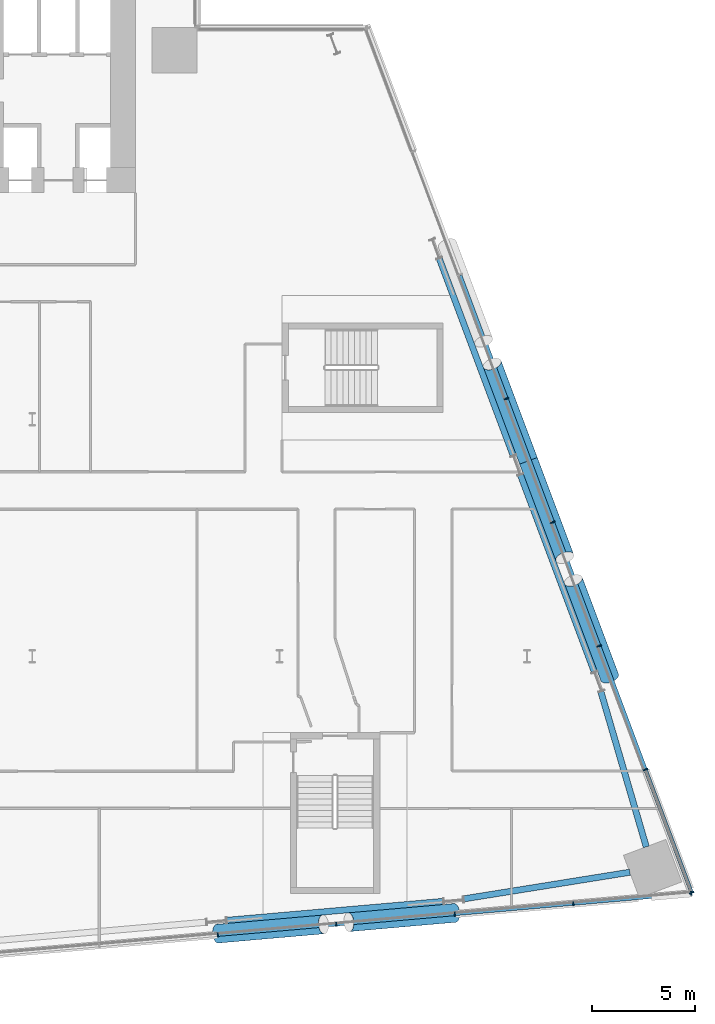
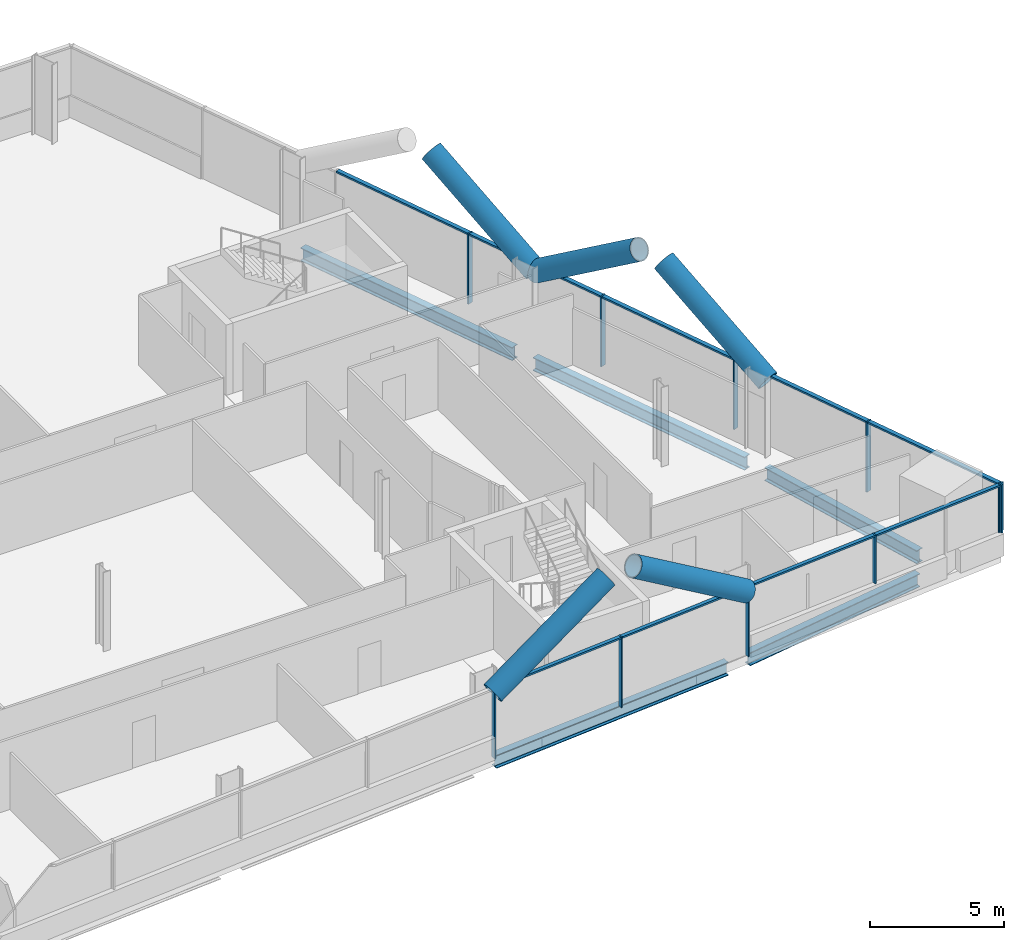
# One storey, part 9 of 28: 24 members, 5 beams, 2 elements without a shape of their own.
"""IFC4 building model written with IfcOpenShell, lengths in metres."""

from ifc_helpers import new_model, si_unit, direction, frame, origin, origin_2d, place, context, subcontext, project, spatial, rectangle, hollow_circle, i_section, extrude, material, material_profile, profile_set, type_object, element, aggregate, save


model = new_model("IFC4")

# Units and contexts
model_context = context("Model", 3, precision=1e-05, world=origin(), true_north=direction((0.0, 1.0)))
body_context = subcontext(model_context, "Body", "Model", "MODEL_VIEW")
ifc_project = project(units=[si_unit("LENGTHUNIT", "METRE"), si_unit("AREAUNIT", "SQUARE_METRE"), si_unit("VOLUMEUNIT", "CUBIC_METRE"), si_unit("PLANEANGLEUNIT", "RADIAN"), si_unit("MASSUNIT", "GRAM", prefix="KILO")], contexts=[model_context])

# Site, building, storey
site_placement = place(None, origin())
site = spatial("IfcSite", under=ifc_project, at=site_placement, CompositionType="ELEMENT")
building_placement = place(site_placement, origin())
building = spatial("IfcBuilding", under=site, at=building_placement, Name="Wharfspan Tower", CompositionType="ELEMENT")
storey_placement = place(building_placement, frame((0.0, 0.0, 52.300049)))
storey = spatial("IfcBuildingStorey", under=building, at=storey_placement, Name="L09", CompositionType="ELEMENT", Elevation=52.300049)

# Beams
ifc_material_1 = material(Name="Steel S355J2", Category="steel")
ifc_material_profile_1 = material_profile(ifc_material_1, i_section(OverallWidth=0.300049, OverallDepth=0.600098, WebThickness=0.015381, FlangeThickness=0.030029, FilletRadius=0.0271, at=origin_2d()))
ifc_profile_set_1 = profile_set([ifc_material_profile_1], Name="Steel S355J2")
beam_type = type_object("IfcBeamType", Name="Edge beam HEB 600", PredefinedType="SPANDREL", material=ifc_profile_set_1)
beam_1_placement = place(storey_placement, frame((69.440674, -1.311279, -0.699951), z_axis=(0.996193, 0.087178, 0.0), x_axis=(-0.087178, 0.996193, 0.0)))
element("IfcBeam", 1, at=beam_1_placement, inside=storey, type_object=beam_type, Name="Edge beam S2 L09 PS2.2 to PS2.3", PredefinedType="SPANDREL", context=body_context, shape_type="SweptSolid", body=[
    extrude(i_section(OverallWidth=0.300049, OverallDepth=0.600098, WebThickness=0.015381, FlangeThickness=0.030029, FilletRadius=0.0271, at=origin_2d()), origin(), (0.0, 0.0, 1.0), 10.543701),
])
beam_2_placement = place(storey_placement, frame((80.9375, -0.269287, -0.699951), z_axis=(0.987379, 0.158378, 0.0), x_axis=(-0.158378, 0.987379, 0.0)))
element("IfcBeam", 2, at=beam_2_placement, inside=storey, type_object=beam_type, Name="Edge beam S2 L09 PS2.3 to MC4", PredefinedType="SPANDREL", context=body_context, shape_type="SweptSolid", body=[
    extrude(i_section(OverallWidth=0.300049, OverallDepth=0.600098, WebThickness=0.015381, FlangeThickness=0.030029, FilletRadius=0.0271, at=origin_2d()), origin(), (0.0, 0.0, 1.0), 8.157715),
])
beam_3_placement = place(storey_placement, frame((89.788086, 2.254639, -0.699951), z_axis=(-0.280694, 0.959797, 0.0), x_axis=(-0.959797, -0.280694, 0.0)))
element("IfcBeam", 3, at=beam_3_placement, inside=storey, type_object=beam_type, Name="Edge beam E L09 MC4 to PE.1", PredefinedType="SPANDREL", context=body_context, shape_type="SweptSolid", body=[
    extrude(i_section(OverallWidth=0.300049, OverallDepth=0.600098, WebThickness=0.015381, FlangeThickness=0.030029, FilletRadius=0.0271, at=origin_2d()), origin(), (0.0, 0.0, 1.0), 7.8479),
])
for number, where, z_axis, x_axis, name in (
    (4, (87.269043, 10.736328, -0.699951), (-0.351126, 0.936328, 0.0), (-0.936328, -0.351126, 0.0), "Edge beam E L09 PE.1 to PE.2"),
    (5, (83.331543, 21.236328, -0.699951), (-0.351126, 0.936328, 0.0), (-0.936328, -0.351126, 0.0), "Edge beam E L09 PE.2 to PE.3"),
):
    element("IfcBeam", number, at=place(storey_placement, frame(where, z_axis=z_axis, x_axis=x_axis)), inside=storey, type_object=beam_type, Name=name, PredefinedType="SPANDREL", context=body_context, shape_type="SweptSolid", body=[
        extrude(i_section(OverallWidth=0.300049, OverallDepth=0.600098, WebThickness=0.015381, FlangeThickness=0.030029, FilletRadius=0.0271, at=origin_2d()), origin(), (0.0, 0.0, 1.0), 10.214111),
    ])

# Curtain wall, members
ifc_material_2 = material(Name="Aluminium 6063-T6", Category="aluminium")
curtain_wall_type_1 = type_object("IfcCurtainWallType", Name="CURTAIN WALL FACETED FRONT", PredefinedType="NOTDEFINED", material=ifc_material_2)
curtain_wall_1_placement = place(storey_placement, origin())
curtain_wall_1 = element("IfcCurtainWall", 6, at=curtain_wall_1_placement, inside=storey, type_object=curtain_wall_type_1, Name="Curtain wall S2", PredefinedType="NOTDEFINED")
ifc_material_profile_2 = material_profile(ifc_material_2, rectangle(XDim=0.199951, YDim=0.060059, at=origin_2d()))
ifc_profile_set_2 = profile_set([ifc_material_profile_2], Name="Aluminium 6063-T6")
member_type_1 = type_object("IfcMemberType", Name="MULLION FACETED FRONT 60x200", PredefinedType="MULLION", material=ifc_profile_set_2)
member_1_placement = place(storey_placement, frame((69.0, -2.012207, 0.0), z_axis=(0.0, 0.0, 1.0), x_axis=(-0.087156, 0.996197, 0.0)))
member_1 = element("IfcMember", 7, at=member_1_placement, type_object=member_type_1, Name="Curtain wall S2 mullion 5", PredefinedType="MULLION", context=body_context, shape_type="SweptSolid", body=[
    extrude(rectangle(XDim=0.199951, YDim=0.060059, at=origin_2d()), origin(), (0.0, 0.0, 1.0), 3.199951),
])
member_2_placement = place(storey_placement, frame((74.75, -1.509277, 0.0), z_axis=(0.0, 0.0, 1.0), x_axis=(-0.087156, 0.996197, 0.0)))
member_2 = element("IfcMember", 8, at=member_2_placement, type_object=member_type_1, Name="Curtain wall S2 mullion 6", PredefinedType="MULLION", context=body_context, shape_type="SweptSolid", body=[
    extrude(rectangle(XDim=0.199951, YDim=0.060059, at=origin_2d()), origin(), (0.0, 0.0, 1.0), 3.199951),
])
member_3_placement = place(storey_placement, frame((80.5, -1.006104, 0.0), z_axis=(0.0, 0.0, 1.0), x_axis=(-0.087156, 0.996197, 0.0)))
member_3 = element("IfcMember", 9, at=member_3_placement, type_object=member_type_1, Name="Curtain wall S2 mullion 7", PredefinedType="MULLION", context=body_context, shape_type="SweptSolid", body=[
    extrude(rectangle(XDim=0.199951, YDim=0.060059, at=origin_2d()), origin(), (0.0, 0.0, 1.0), 3.199951),
])
member_4_placement = place(storey_placement, frame((86.25, -0.503174, 1.0), z_axis=(0.0, 0.0, 1.0), x_axis=(-0.087156, 0.996197, 0.0)))
member_4 = element("IfcMember", 10, at=member_4_placement, type_object=member_type_1, Name="Curtain wall S2 mullion 8", PredefinedType="MULLION", context=body_context, shape_type="SweptSolid", body=[
    extrude(rectangle(XDim=0.199951, YDim=0.060059, at=origin_2d()), origin(), (0.0, 0.0, 1.0), 2.199951),
])
member_5_placement = place(storey_placement, frame((91.970215, -0.002686, 1.0), z_axis=(0.0, 0.0, 1.0), x_axis=(-0.087156, 0.996197, 0.0)))
member_5 = element("IfcMember", 11, at=member_5_placement, type_object=member_type_1, Name="Curtain wall S2 mullion 9", PredefinedType="MULLION", context=body_context, shape_type="SweptSolid", body=[
    extrude(rectangle(XDim=0.199951, YDim=0.060059, at=origin_2d()), origin(), (0.0, 0.0, 1.0), 2.199951),
])

curtain_wall_type_2 = type_object("IfcCurtainWallType", Name="CURTAIN WALL PROW AND END", PredefinedType="NOTDEFINED", material=ifc_material_2)
curtain_wall_2_placement = place(storey_placement, origin())
curtain_wall_2 = element("IfcCurtainWall", 12, at=curtain_wall_2_placement, inside=storey, type_object=curtain_wall_type_2, Name="Curtain wall E", PredefinedType="NOTDEFINED")
ifc_material_profile_3 = material_profile(ifc_material_2, rectangle(XDim=0.23999, YDim=0.060059, at=origin_2d()))
ifc_profile_set_3 = profile_set([ifc_material_profile_3], Name="Aluminium 6063-T6")
member_type_2 = type_object("IfcMemberType", Name="MULLION PROW AND END 60x240", PredefinedType="MULLION", material=ifc_profile_set_3)
member_6_placement = place(storey_placement, frame((91.989502, 0.028076, 1.0), z_axis=(0.0, 0.0, 1.0), x_axis=(-0.936328, -0.351123, 0.0)))
member_6 = element("IfcMember", 13, at=member_6_placement, type_object=member_type_2, Name="Curtain wall E mullion 1", PredefinedType="MULLION", context=body_context, shape_type="SweptSolid", body=[
    extrude(rectangle(XDim=0.23999, YDim=0.060059, at=origin_2d()), origin(), (0.0, 0.0, 1.0), 2.199951),
])
member_7_placement = place(storey_placement, frame((89.75, 6.0, 0.0), z_axis=(0.0, 0.0, 1.0), x_axis=(-0.936328, -0.351123, 0.0)))
member_7 = element("IfcMember", 14, at=member_7_placement, type_object=member_type_2, Name="Curtain wall E mullion 2", PredefinedType="MULLION", context=body_context, shape_type="SweptSolid", body=[
    extrude(rectangle(XDim=0.23999, YDim=0.060059, at=origin_2d()), origin(), (0.0, 0.0, 1.0), 3.199951),
])
member_8_placement = place(storey_placement, frame((87.5, 12.0, 0.0), z_axis=(0.0, 0.0, 1.0), x_axis=(-0.936328, -0.351123, 0.0)))
member_8 = element("IfcMember", 15, at=member_8_placement, type_object=member_type_2, Name="Curtain wall E mullion 3", PredefinedType="MULLION", context=body_context, shape_type="SweptSolid", body=[
    extrude(rectangle(XDim=0.23999, YDim=0.060059, at=origin_2d()), origin(), (0.0, 0.0, 1.0), 3.199951),
])
member_9_placement = place(storey_placement, frame((85.25, 18.0, 0.0), z_axis=(0.0, 0.0, 1.0), x_axis=(-0.936328, -0.351123, 0.0)))
member_9 = element("IfcMember", 16, at=member_9_placement, type_object=member_type_2, Name="Curtain wall E mullion 4", PredefinedType="MULLION", context=body_context, shape_type="SweptSolid", body=[
    extrude(rectangle(XDim=0.23999, YDim=0.060059, at=origin_2d()), origin(), (0.0, 0.0, 1.0), 3.199951),
])
member_10_placement = place(storey_placement, frame((83.0, 24.0, 0.0), z_axis=(0.0, 0.0, 1.0), x_axis=(-0.936328, -0.351123, 0.0)))
member_10 = element("IfcMember", 17, at=member_10_placement, type_object=member_type_2, Name="Curtain wall E mullion 5", PredefinedType="MULLION", context=body_context, shape_type="SweptSolid", body=[
    extrude(rectangle(XDim=0.23999, YDim=0.060059, at=origin_2d()), origin(), (0.0, 0.0, 1.0), 3.199951),
])

# Members
ifc_material_3 = material(Name="Steel S460NH", Category="steel")
ifc_material_profile_4 = material_profile(ifc_material_3, hollow_circle(Radius=0.457031, WallThickness=0.040039, at=origin_2d()))
ifc_profile_set_4 = profile_set([ifc_material_profile_4], Name="Steel S460NH")
member_type_3 = type_object("IfcMemberType", Name="Mega brace CHS 914x40", PredefinedType="BRACE", material=ifc_profile_set_4)
member_11_placement = place(storey_placement, frame((68.995117, -1.95752, 2.899902), z_axis=(0.845262, 0.073959, 0.529208), x_axis=(-0.087167, 0.996192, 3e-06)))
element("IfcMember", 18, at=member_11_placement, inside=storey, type_object=member_type_3, Name="Mega brace S2 L10 part 1", PredefinedType="BRACE", context=body_context, shape_type="SweptSolid", body=[
    extrude(hollow_circle(Radius=0.457031, WallThickness=0.040039, at=origin_2d()), origin(), (0.0, 0.0, 1.0), 6.073975),
])
member_12_placement = place(storey_placement, frame((80.495117, -0.951416, 2.899902), z_axis=(-0.845253, -0.073921, 0.529228), x_axis=(0.08712, -0.996199, -3e-06)))
element("IfcMember", 19, at=member_12_placement, inside=storey, type_object=member_type_3, Name="Mega brace S2 L10 part 3", PredefinedType="BRACE", context=body_context, shape_type="SweptSolid", body=[
    extrude(hollow_circle(Radius=0.457031, WallThickness=0.040039, at=origin_2d()), origin(), (0.0, 0.0, 1.0), 6.07373),
])
for number, where, z_axis, x_axis, name in (
    (20, (88.010986, 10.480713, 2.899902), (-0.295459, 0.787904, 0.540288), (-0.936328, -0.351115, -3e-06), "Mega brace E5 L10 part 1"),
    (21, (84.073486, 20.980713, 2.899902), (0.295459, -0.787904, 0.540288), (0.936328, 0.351115, -3e-06), "Mega brace E5 L10 part 3"),
    (22, (84.073486, 20.980713, 2.899902), (-0.295459, 0.787904, 0.540288), (-0.936328, -0.351115, -3e-06), "Mega brace E6 L10 part 1"),
):
    element("IfcMember", number, at=place(storey_placement, frame(where, z_axis=z_axis, x_axis=x_axis)), inside=storey, type_object=member_type_3, Name=name, PredefinedType="BRACE", context=body_context, shape_type="SweptSolid", body=[
        extrude(hollow_circle(Radius=0.457031, WallThickness=0.040039, at=origin_2d()), origin(), (0.0, 0.0, 1.0), 5.955322),
    ])

# Member
ifc_material_profile_5 = material_profile(ifc_material_2, rectangle(XDim=0.159912, YDim=0.080078, at=origin_2d()))
ifc_profile_set_5 = profile_set([ifc_material_profile_5], Name="Aluminium 6063-T6")
member_type_4 = type_object("IfcMemberType", Name="TRANSOM FACETED FRONT 80x160", PredefinedType="USERDEFINED", material=ifc_profile_set_5)
member_13_placement = place(storey_placement, frame((69.029785, -2.009521, 3.159912), z_axis=(0.996195, 0.087148, 0.0), x_axis=(-0.087148, 0.996195, 0.0)))
member_13 = element("IfcMember", 23, at=member_13_placement, type_object=member_type_4, Name="Curtain wall S2 transom 5", ObjectType="TRANSOM", PredefinedType="USERDEFINED", context=body_context, shape_type="SweptSolid", body=[
    extrude(rectangle(XDim=0.159912, YDim=0.080078, at=origin_2d()), origin(), (0.0, 0.0, 1.0), 5.712158),
])

member_14_placement = place(storey_placement, frame((74.779785, -1.506592, 3.159912), z_axis=(0.996195, 0.087148, 0.0), x_axis=(-0.087148, 0.996195, 0.0)))
member_14 = element("IfcMember", 24, at=member_14_placement, type_object=member_type_4, Name="Curtain wall S2 transom 6", ObjectType="TRANSOM", PredefinedType="USERDEFINED", context=body_context, shape_type="SweptSolid", body=[
    extrude(rectangle(XDim=0.159912, YDim=0.080078, at=origin_2d()), origin(), (0.0, 0.0, 1.0), 5.712158),
])

member_15_placement = place(storey_placement, frame((80.529785, -1.003418, 3.159912), z_axis=(0.996195, 0.087148, 0.0), x_axis=(-0.087148, 0.996195, 0.0)))
member_15 = element("IfcMember", 25, at=member_15_placement, type_object=member_type_4, Name="Curtain wall S2 transom 7", ObjectType="TRANSOM", PredefinedType="USERDEFINED", context=body_context, shape_type="SweptSolid", body=[
    extrude(rectangle(XDim=0.159912, YDim=0.080078, at=origin_2d()), origin(), (0.0, 0.0, 1.0), 5.712158),
])

member_16_placement = place(storey_placement, frame((86.279785, -0.500488, 3.159912), z_axis=(0.996193, 0.08718, 0.0), x_axis=(-0.08718, 0.996193, 0.0)))
member_16 = element("IfcMember", 26, at=member_16_placement, type_object=member_type_4, Name="Curtain wall S2 transom 8", ObjectType="TRANSOM", PredefinedType="USERDEFINED", context=body_context, shape_type="SweptSolid", body=[
    extrude(rectangle(XDim=0.159912, YDim=0.080078, at=origin_2d()), origin(), (0.0, 0.0, 1.0), 5.682129),
])

aggregate(curtain_wall_1, [member_1, member_2, member_3, member_4, member_5, member_13, member_14, member_15, member_16])

ifc_material_profile_6 = material_profile(ifc_material_2, rectangle(XDim=0.179932, YDim=0.080078, at=origin_2d()))
ifc_profile_set_6 = profile_set([ifc_material_profile_6], Name="Aluminium 6063-T6")
member_type_5 = type_object("IfcMemberType", Name="TRANSOM PROW AND END 80x180", PredefinedType="USERDEFINED", material=ifc_profile_set_6)
member_17_placement = place(storey_placement, frame((91.979004, 0.056152, 3.159912), z_axis=(-0.351136, 0.936324, 0.0), x_axis=(-0.936324, -0.351136, 0.0)))
member_17 = element("IfcMember", 27, at=member_17_placement, type_object=member_type_5, Name="Curtain wall E transom 1", ObjectType="TRANSOM", PredefinedType="USERDEFINED", context=body_context, shape_type="SweptSolid", body=[
    extrude(rectangle(XDim=0.179932, YDim=0.080078, at=origin_2d()), origin(), (0.0, 0.0, 1.0), 6.318115),
])

member_18_placement = place(storey_placement, frame((89.739502, 6.028076, 3.159912), z_axis=(-0.351132, 0.936326, 0.0), x_axis=(-0.936326, -0.351132, 0.0)))
member_18 = element("IfcMember", 28, at=member_18_placement, type_object=member_type_5, Name="Curtain wall E transom 2", ObjectType="TRANSOM", PredefinedType="USERDEFINED", context=body_context, shape_type="SweptSolid", body=[
    extrude(rectangle(XDim=0.179932, YDim=0.080078, at=origin_2d()), origin(), (0.0, 0.0, 1.0), 6.348145),
])

member_19_placement = place(storey_placement, frame((87.489502, 12.028076, 3.159912), z_axis=(-0.351132, 0.936326, 0.0), x_axis=(-0.936326, -0.351132, 0.0)))
member_19 = element("IfcMember", 29, at=member_19_placement, type_object=member_type_5, Name="Curtain wall E transom 3", ObjectType="TRANSOM", PredefinedType="USERDEFINED", context=body_context, shape_type="SweptSolid", body=[
    extrude(rectangle(XDim=0.179932, YDim=0.080078, at=origin_2d()), origin(), (0.0, 0.0, 1.0), 6.348145),
])

member_20_placement = place(storey_placement, frame((85.239502, 18.028076, 3.159912), z_axis=(-0.351132, 0.936326, 0.0), x_axis=(-0.936326, -0.351132, 0.0)))
member_20 = element("IfcMember", 30, at=member_20_placement, type_object=member_type_5, Name="Curtain wall E transom 4", ObjectType="TRANSOM", PredefinedType="USERDEFINED", context=body_context, shape_type="SweptSolid", body=[
    extrude(rectangle(XDim=0.179932, YDim=0.080078, at=origin_2d()), origin(), (0.0, 0.0, 1.0), 6.348145),
])

member_21_placement = place(storey_placement, frame((82.989502, 24.028076, 3.159912), z_axis=(-0.351132, 0.936326, 0.0), x_axis=(-0.936326, -0.351132, 0.0)))
member_21 = element("IfcMember", 31, at=member_21_placement, type_object=member_type_5, Name="Curtain wall E transom 5", ObjectType="TRANSOM", PredefinedType="USERDEFINED", context=body_context, shape_type="SweptSolid", body=[
    extrude(rectangle(XDim=0.179932, YDim=0.080078, at=origin_2d()), origin(), (0.0, 0.0, 1.0), 6.348145),
])

aggregate(curtain_wall_2, [member_6, member_7, member_8, member_9, member_10, member_17, member_18, member_19, member_20, member_21])

save(model, "model.ifc")
